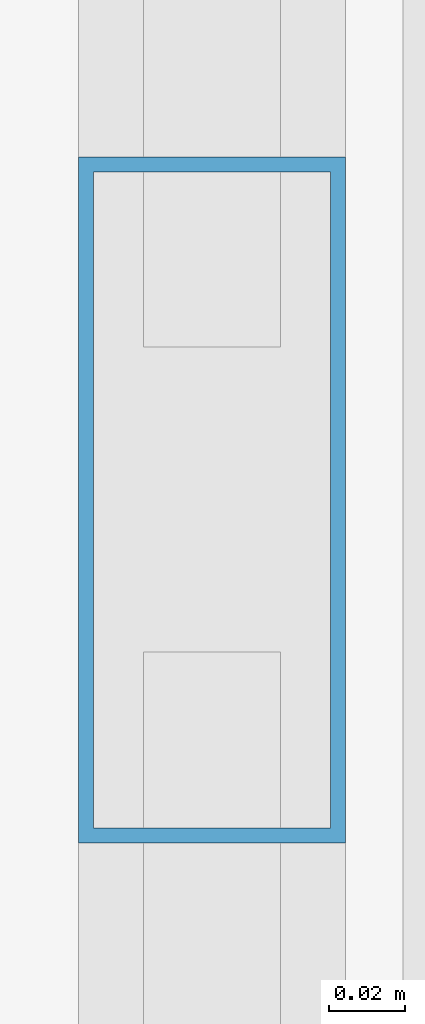
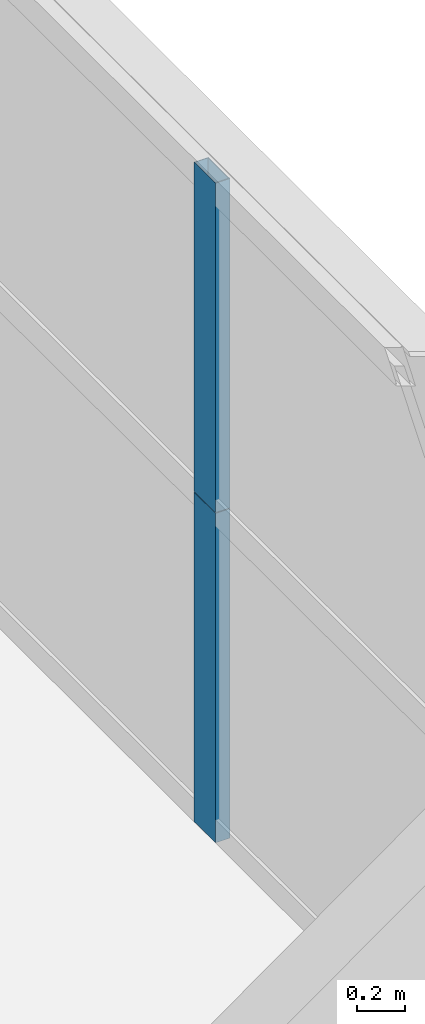
# One storey, part 32 of 43: 2 members, 1 element without a shape of its own.
"""IFC4 building model written with IfcOpenShell, lengths in metres."""

from ifc_helpers import new_model, si_unit, direction, frame, origin, origin_2d, place, context, subcontext, project, spatial, hollow_rectangle, extrude, source, transform, mapped, material, layer, layer_set, material_profile, profile_set, type_object, element, aggregate, save


model = new_model("IFC4")

# Units and contexts
model_context = context("Model", 3, precision=1e-05, world=origin(), true_north=direction((0.0, 1.0)))
body_context = subcontext(model_context, "Body", "Model", "MODEL_VIEW")
ifc_project = project(units=[si_unit("LENGTHUNIT", "METRE"), si_unit("AREAUNIT", "SQUARE_METRE"), si_unit("VOLUMEUNIT", "CUBIC_METRE"), si_unit("PLANEANGLEUNIT", "RADIAN"), si_unit("MASSUNIT", "GRAM", prefix="KILO"), si_unit("THERMODYNAMICTEMPERATUREUNIT", "KELVIN"), si_unit("POWERUNIT", "WATT")], contexts=[model_context])

# Site, building, storey
site_placement = place(None, origin())
site = spatial("IfcSite", under=ifc_project, at=site_placement, CompositionType="ELEMENT")
building_placement = place(site_placement, origin())
building = spatial("IfcBuilding", under=site, at=building_placement, Name="Yuzanri Waterfront Tower", CompositionType="ELEMENT")
storey_placement = place(building_placement, frame((0.0, 0.0, 74.800048828125)))
storey = spatial("IfcBuildingStorey", under=building, at=storey_placement, Name="L19", CompositionType="ELEMENT", Elevation=74.800048828125)

# Curtain wall, members
ifc_material_1 = material(Name="Anodized Architectural Bronze", Category="metal")
ifc_layer = layer(ifc_material_1, 0.159912109375)
ifc_layer_set = layer_set([ifc_layer], Name="Anodized Architectural Bronze")
curtain_wall_type = type_object("IfcCurtainWallType", Name="Anodized Bronze Hotel Lower-Tier Recessed Unitized Curtain Wall 8100", PredefinedType="NOTDEFINED", material=ifc_layer_set)
curtain_wall_placement = place(storey_placement, origin())
curtain_wall = element("IfcCurtainWall", 1, at=curtain_wall_placement, inside=storey, type_object=curtain_wall_type, Name="L19 Curtain Wall CW-L19-ER", PredefinedType="NOTDEFINED")
ifc_material_2 = material(Name="Anodized Architectural Bronze", Category="metal")
ifc_material_profile = material_profile(ifc_material_2, hollow_rectangle(XDim=0.070068359375, YDim=0.179931640625, WallThickness=0.00390625, at=origin_2d()), Name="CWM 70x180")
ifc_profile_set = profile_set([ifc_material_profile], Name="Anodized Architectural Bronze")
member_type = type_object("IfcMemberType", Name="Anodized Bronze Standard Curtain-Wall Mullion 70x180", PredefinedType="MULLION", material=ifc_profile_set)
shared_shape = source(origin(), body_context, "Body", "SweptSolid", [
    extrude(hollow_rectangle(XDim=0.070068359375, YDim=0.179931640625, WallThickness=0.00390625, at=origin_2d()), origin(), (0.0, 0.0, 1.0), 1.68798828125),
])
member_1_placement = place(storey_placement, frame((61.949951171875, 34.89990234375, 0.0), z_axis=(0.0, 0.0, 1.0), x_axis=(1.0, 0.0, 0.0)))
member_1 = element("IfcMember", 2, at=member_1_placement, type_object=member_type, Name="CW-L19-ER Lower Mullion 01", PredefinedType="MULLION", context=body_context, shape_type="MappedRepresentation", body=[
    mapped(shared_shape, transform((0.0, 0.0, 0.0), scale=1.0)),
])
member_2_placement = place(storey_placement, frame((61.949951171875, 34.89990234375, 1.69189453125), z_axis=(0.0, 0.0, 1.0), x_axis=(1.0, 0.0, 0.0)))
member_2 = element("IfcMember", 3, at=member_2_placement, type_object=member_type, Name="CW-L19-ER Upper Mullion 01", PredefinedType="MULLION", context=body_context, shape_type="MappedRepresentation", body=[
    mapped(shared_shape, transform((0.0, 0.0, 0.0), scale=1.0)),
])
aggregate(curtain_wall, [member_1, member_2])

save(model, "model.ifc")
